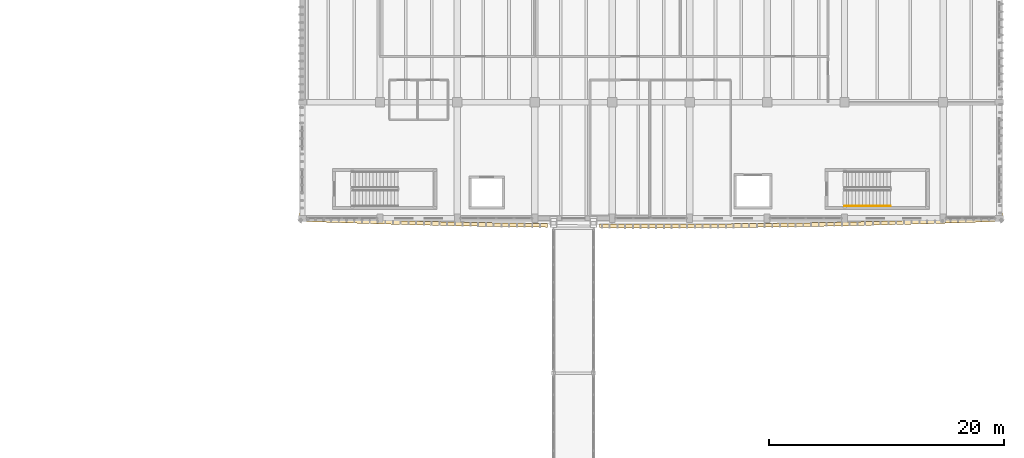
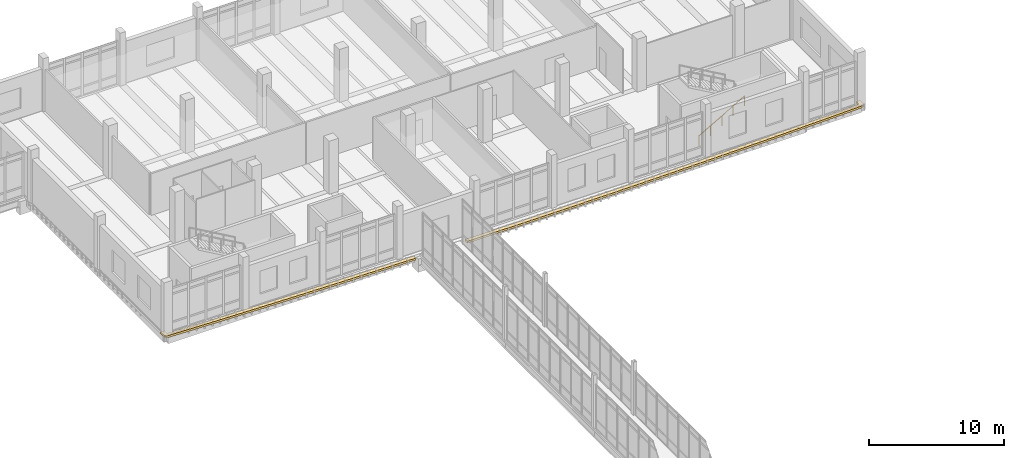
# One storey, part 116 of 125: 2 coverings, 1 railing.
"""IFC4 building model written with IfcOpenShell, lengths in metres."""

from ifc_helpers import new_model, si_unit, direction, frame, origin, origin_2d, place, context, subcontext, project, spatial, polyline, circle, outline, extrude, material, layer, layer_set, type_object, element, save


model = new_model("IFC4")

# Units and contexts
model_context = context("Model", 3, precision=1e-05, world=origin(), true_north=direction((0.0, 1.0)))
body_context = subcontext(model_context, "Body", "Model", "MODEL_VIEW")
ifc_project = project(units=[si_unit("LENGTHUNIT", "METRE"), si_unit("AREAUNIT", "SQUARE_METRE"), si_unit("VOLUMEUNIT", "CUBIC_METRE"), si_unit("PLANEANGLEUNIT", "RADIAN"), si_unit("MASSUNIT", "GRAM", prefix="KILO")], contexts=[model_context])

# Site, building, storey
site_placement = place(None, origin())
site = spatial("IfcSite", under=ifc_project, at=site_placement, CompositionType="ELEMENT")
building_placement = place(site_placement, origin())
building = spatial("IfcBuilding", under=site, at=building_placement, Name="Dornvale Research Institute", CompositionType="ELEMENT")
storey_placement = place(building_placement, frame((0.0, 0.0, 5.39990234375)))
storey = spatial("IfcBuildingStorey", under=building, at=storey_placement, Name="L01", CompositionType="ELEMENT", Elevation=5.39990234375)

# Coverings
ifc_material_1 = material(Name="Polychrome Glazed Terracotta Visor Rib Ceramic", Category="masonry")
ifc_layer_1 = layer(ifc_material_1, 0.179931640625)
ifc_layer_set_1 = layer_set([ifc_layer_1], Name="Polychrome Glazed Terracotta Visor Rib Ceramic")
covering_type = type_object("IfcCoveringType", Name="Covering_VisorBrim_LowShelf", PredefinedType="CLADDING", material=ifc_layer_set_1)
covering_1_placement = place(storey_placement, frame((0.0, 0.0, -0.260009765625)))
element("IfcCovering", 1, at=covering_1_placement, inside=storey, type_object=covering_type, Name="L01 V4 canted bowed-brim visor hood #40", PredefinedType="CLADDING", context=body_context, shape_type="SweptSolid", body=[
    extrude(outline(polyline([(178.459228515625, 92.39990234375), (178.4404296875, 92.302978515625), (178.386474609375, 92.219970703125), (178.3056640625, 92.163330078125), (178.209228515625, 92.14111328125), (176.559326171875, 92.08154296875), (176.558837890625, 92.08154296875), (174.90869140625, 92.025390625), (174.908203125, 92.025390625), (173.25830078125, 91.972900390625), (173.2578125, 91.972900390625), (171.607666015625, 91.923583984375), (171.607177734375, 91.923583984375), (169.957275390625, 91.877685546875), (169.956787109375, 91.877685546875), (168.306640625, 91.835205078125), (168.30615234375, 91.835205078125), (166.656005859375, 91.79638671875), (166.655517578125, 91.79638671875), (165.005615234375, 91.7607421875), (165.005126953125, 91.760498046875), (163.35498046875, 91.728271484375), (163.3544921875, 91.728271484375), (161.70458984375, 91.699462890625), (161.7041015625, 91.699462890625), (160.053955078125, 91.674072265625), (160.053466796875, 91.674072265625), (158.403564453125, 91.65185546875), (158.40283203125, 91.65185546875), (156.7529296875, 91.63330078125), (156.75244140625, 91.63330078125), (155.102294921875, 91.617919921875), (155.101806640625, 91.617919921875), (153.451904296875, 91.606201171875), (153.451416015625, 91.606201171875), (151.80126953125, 91.59765625), (151.80078125, 91.59765625), (150.15087890625, 91.592529296875), (150.150390625, 91.592529296875), (148.500244140625, 91.5908203125), (148.499755859375, 91.5908203125), (146.849609375, 91.592529296875), (146.84912109375, 91.592529296875), (145.19921875, 91.59765625), (145.19873046875, 91.59765625), (144.10009765625, 91.603271484375), (144.10009765625, 91.922607421875), (145.2001953125, 91.916748046875), (146.85009765625, 91.91162109375), (148.5, 91.909912109375), (150.14990234375, 91.91162109375), (151.7998046875, 91.916748046875), (153.44970703125, 91.92529296875), (155.099609375, 91.937255859375), (156.74951171875, 91.952392578125), (158.3994140625, 91.97119140625), (160.049072265625, 91.9931640625), (161.698974609375, 92.0185546875), (163.348876953125, 92.047607421875), (164.998779296875, 92.079833984375), (166.648681640625, 92.115478515625), (168.298583984375, 92.154296875), (169.948486328125, 92.197021484375), (171.598388671875, 92.24267578125), (173.248046875, 92.2919921875), (174.89794921875, 92.344482421875), (176.5478515625, 92.400634765625), (178.139892578125, 92.4580078125), (178.139892578125, 92.85009765625), (178.459228515625, 92.85009765625), (178.459228515625, 92.39990234375)])), origin(), (0.0, 0.0, 1.0), 0.18017578125),
])
covering_2_placement = place(storey_placement, frame((0.0, 0.0, -0.260009765625)))
element("IfcCovering", 2, at=covering_2_placement, inside=storey, type_object=covering_type, Name="L01 V4 canted bowed-brim visor hood #41", PredefinedType="CLADDING", context=body_context, shape_type="SweptSolid", body=[
    extrude(outline(polyline([(138.596435546875, 91.65185546875), (136.946533203125, 91.674072265625), (136.946044921875, 91.674072265625), (135.2958984375, 91.699462890625), (135.29541015625, 91.699462890625), (133.6455078125, 91.728271484375), (133.64501953125, 91.728271484375), (131.994873046875, 91.760498046875), (131.994384765625, 91.7607421875), (130.344482421875, 91.79638671875), (130.343994140625, 91.79638671875), (128.69384765625, 91.835205078125), (128.693359375, 91.835205078125), (127.043212890625, 91.877685546875), (127.042724609375, 91.877685546875), (125.392822265625, 91.923583984375), (125.392333984375, 91.923583984375), (123.7421875, 91.972900390625), (123.74169921875, 91.972900390625), (122.091796875, 92.025390625), (122.09130859375, 92.025390625), (120.441162109375, 92.08154296875), (120.440673828125, 92.08154296875), (118.790771484375, 92.14111328125), (118.6943359375, 92.163330078125), (118.613525390625, 92.219970703125), (118.5595703125, 92.302978515625), (118.540771484375, 92.39990234375), (118.540771484375, 92.85009765625), (118.860107421875, 92.85009765625), (118.860107421875, 92.4580078125), (120.4521484375, 92.400634765625), (122.10205078125, 92.344482421875), (123.751953125, 92.2919921875), (125.401611328125, 92.24267578125), (127.051513671875, 92.197021484375), (128.701416015625, 92.154296875), (130.351318359375, 92.115478515625), (132.001220703125, 92.079833984375), (133.651123046875, 92.047607421875), (135.301025390625, 92.0185546875), (136.950927734375, 91.9931640625), (138.6005859375, 91.97119140625), (139.699951171875, 91.95849609375), (139.699951171875, 91.639404296875), (138.59716796875, 91.65185546875), (138.596435546875, 91.65185546875)])), origin(), (0.0, 0.0, 1.0), 0.18017578125),
])

# Railing
ifc_material_2 = material(Name="Galvanized Painted Tubular Steel Stair Rail", Category="steel")
ifc_layer_2 = layer(ifc_material_2, 0.044921875)
ifc_layer_set_2 = layer_set([ifc_layer_2], Name="Galvanized Painted Tubular Steel Stair Rail")
railing_type = type_object("IfcRailingType", Name="Railing_Stair_Handrail_900", PredefinedType="HANDRAIL", material=ifc_layer_set_2)
railing_placement = place(storey_placement, frame((165.02001953125, 93.449951171875, 0.171630859375)))
element("IfcRailing", 3, at=railing_placement, inside=storey, type_object=railing_type, Name="L01 ST-4 stair handrail 1", PredefinedType="HANDRAIL", context=body_context, shape_type="SweptSolid", body=[
    extrude(circle(Radius=0.02392578125, at=origin_2d()), frame((0.0, 0.0, 0.8759765625), z_axis=(0.868243142124, 0.0, 0.496138938357), x_axis=(0.0, 1.0, 0.0)), (0.0, 0.0, 1.0), 4.49169921875),
    extrude(circle(Radius=0.02099609375, at=origin_2d()), origin(), (0.0, 0.0, 1.0), 0.851806640625),
    extrude(circle(Radius=0.02099609375, at=origin_2d()), frame((0.97509765625, 0.0, 0.55712890625)), (0.0, 0.0, 1.0), 0.851806640625),
    extrude(circle(Radius=0.02099609375, at=origin_2d()), frame((1.949951171875, 0.0, 1.1142578125)), (0.0, 0.0, 1.0), 0.851806640625),
    extrude(circle(Radius=0.02099609375, at=origin_2d()), frame((2.9248046875, 0.0, 1.67138671875)), (0.0, 0.0, 1.0), 0.851806640625),
    extrude(circle(Radius=0.02099609375, at=origin_2d()), frame((3.89990234375, 0.0, 2.228515625)), (0.0, 0.0, 1.0), 0.851806640625),
])

save(model, "model.ifc")
